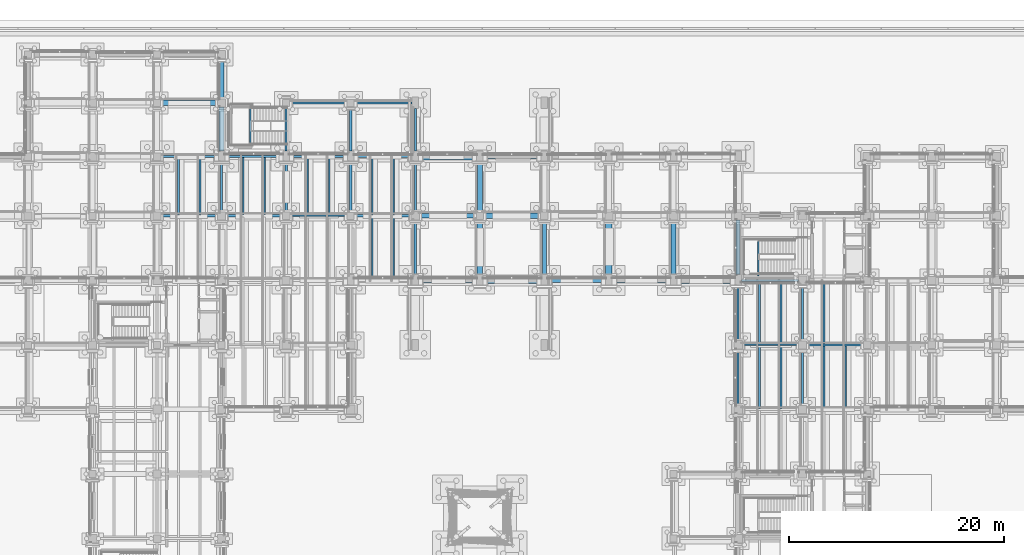
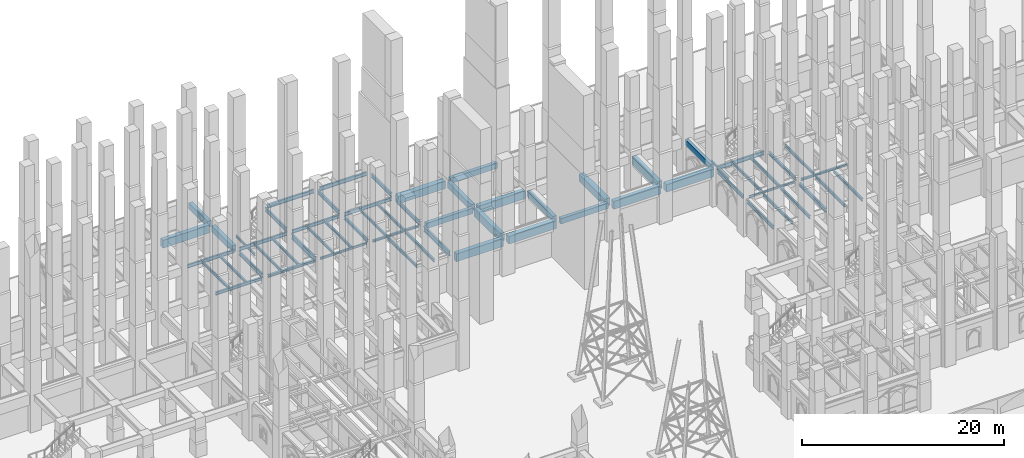
# One storey, part 46 of 135: 62 beams.
"""IFC4 building model written with IfcOpenShell, lengths in metres."""

from ifc_helpers import new_model, si_unit, direction, frame, origin, origin_2d, place, context, subcontext, project, spatial, rectangle, i_section, extrude, material, material_profile, profile_set, type_object, element, save


model = new_model("IFC4")

# Units and contexts
model_context = context("Model", 3, precision=1e-05, world=origin(), true_north=direction((0.0, 1.0)))
body_context = subcontext(model_context, "Body", "Model", "MODEL_VIEW")
ifc_project = project(units=[si_unit("LENGTHUNIT", "METRE"), si_unit("AREAUNIT", "SQUARE_METRE"), si_unit("VOLUMEUNIT", "CUBIC_METRE"), si_unit("PLANEANGLEUNIT", "RADIAN"), si_unit("MASSUNIT", "GRAM", prefix="KILO")], contexts=[model_context])

# Site, building, storey
site_placement = place(None, origin())
site = spatial("IfcSite", under=ifc_project, at=site_placement, CompositionType="ELEMENT")
building_placement = place(site_placement, origin())
building = spatial("IfcBuilding", under=site, at=building_placement, Name="Cumevento Cable Car Station", CompositionType="ELEMENT")
storey_placement = place(building_placement, origin())
storey = spatial("IfcBuildingStorey", under=building, at=storey_placement, Name="L01", CompositionType="ELEMENT", Elevation=0.0)

# Beams
ifc_material_1 = material(Name="Steel ASTM A572 Grade 50", Category="steel")
ifc_material_profile_1 = material_profile(ifc_material_1, i_section(OverallWidth=0.22802734375, OverallDepth=0.60791015625, WebThickness=0.01123046875, FlangeThickness=0.017333984375, at=origin_2d()), Name="W610x113.0")
ifc_profile_set_1 = profile_set([ifc_material_profile_1], Name="Steel ASTM A572 Grade 50")
beam_type_1 = type_object("IfcBeamType", Name="Structural Beam BM-02 W610x113.0", PredefinedType="BEAM", material=ifc_profile_set_1)
beam_1_placement = place(storey_placement, frame((76.0, 51.35009765625, 3.906005859375), z_axis=(0.0, 1.0, 0.0), x_axis=(-1.0, 0.0, 0.0)))
element("IfcBeam", 1, at=beam_1_placement, inside=storey, type_object=beam_type_1, Name="Beam BM-02 L01 #181", PredefinedType="BEAM", context=body_context, shape_type="SweptSolid", body=[
    extrude(i_section(OverallWidth=0.22802734375, OverallDepth=0.60791015625, WebThickness=0.01123046875, FlangeThickness=0.017333984375, at=origin_2d()), origin(), (0.0, 0.0, 1.0), 4.625),
])
beam_2_placement = place(storey_placement, frame((88.0, 45.52490234375, 3.906005859375), z_axis=(0.0, 1.0, 0.0), x_axis=(-1.0, 0.0, 0.0)))
element("IfcBeam", 2, at=beam_2_placement, inside=storey, type_object=beam_type_1, Name="Beam BM-02 L01 #184", PredefinedType="BEAM", context=body_context, shape_type="SweptSolid", body=[
    extrude(i_section(OverallWidth=0.22802734375, OverallDepth=0.60791015625, WebThickness=0.01123046875, FlangeThickness=0.017333984375, at=origin_2d()), origin(), (0.0, 0.0, 1.0), 5.0751953125),
])
ifc_material_2 = material(Name="Steel ASTM A572 Grade 50", Category="steel")
ifc_material_profile_2 = material_profile(ifc_material_2, i_section(OverallWidth=0.18994140625, OverallDepth=0.45703125, WebThickness=0.009033203125, FlangeThickness=0.014404296875, at=origin_2d()), Name="W460x74.0")
ifc_profile_set_2 = profile_set([ifc_material_profile_2], Name="Steel ASTM A572 Grade 50")
beam_type_2 = type_object("IfcBeamType", Name="Structural Beam BM-04 W460x74.0", PredefinedType="BEAM", material=ifc_profile_set_2)
beam_3_placement = place(storey_placement, frame((70.0, 51.375, 3.9814453125), z_axis=(0.0, 1.0, 0.0), x_axis=(-1.0, 0.0, 0.0)))
element("IfcBeam", 3, at=beam_3_placement, inside=storey, type_object=beam_type_2, Name="Beam BM-04 L01 #179", PredefinedType="BEAM", context=body_context, shape_type="SweptSolid", body=[
    extrude(i_section(OverallWidth=0.18994140625, OverallDepth=0.45703125, WebThickness=0.009033203125, FlangeThickness=0.014404296875, at=origin_2d()), origin(), (0.0, 0.0, 1.0), 4.60009765625),
])
beam_4_placement = place(storey_placement, frame((88.0, 51.39990234375, 3.9814453125), z_axis=(0.0, 1.0, 0.0), x_axis=(-1.0, 0.0, 0.0)))
element("IfcBeam", 4, at=beam_4_placement, inside=storey, type_object=beam_type_2, Name="Beam BM-04 L01 #185", PredefinedType="BEAM", context=body_context, shape_type="SweptSolid", body=[
    extrude(i_section(OverallWidth=0.18994140625, OverallDepth=0.45703125, WebThickness=0.009033203125, FlangeThickness=0.014404296875, at=origin_2d()), origin(), (0.0, 0.0, 1.0), 4.5751953125),
])
beam_5_placement = place(storey_placement, frame((124.0, 33.375, 3.881591796875), z_axis=(0.0, 1.0, 0.0), x_axis=(-1.0, 0.0, 0.0)))
element("IfcBeam", 5, at=beam_5_placement, inside=storey, type_object=beam_type_2, Name="Beam BM-04 L01 #260", PredefinedType="BEAM", context=body_context, shape_type="SweptSolid", body=[
    extrude(i_section(OverallWidth=0.18994140625, OverallDepth=0.45703125, WebThickness=0.009033203125, FlangeThickness=0.014404296875, at=origin_2d()), origin(), (0.0, 0.0, 1.0), 5.25),
])
beam_6_placement = place(storey_placement, frame((76.324951171875, 61.5, 4.021484375), z_axis=(1.0, 0.0, 0.0), x_axis=(0.0, 1.0, 0.0)))
element("IfcBeam", 6, at=beam_6_placement, inside=storey, type_object=beam_type_2, Name="Terrace Girder BM-04 #20", PredefinedType="BEAM", context=body_context, shape_type="SweptSolid", body=[
    extrude(i_section(OverallWidth=0.18994140625, OverallDepth=0.45703125, WebThickness=0.009033203125, FlangeThickness=0.014404296875, at=origin_2d()), origin(), (0.0, 0.0, 1.0), 5.35009765625),
])
beam_7_placement = place(storey_placement, frame((82.324951171875, 61.5, 4.021484375), z_axis=(1.0, 0.0, 0.0), x_axis=(0.0, 1.0, 0.0)))
element("IfcBeam", 7, at=beam_7_placement, inside=storey, type_object=beam_type_2, Name="Terrace Girder BM-04 #21", PredefinedType="BEAM", context=body_context, shape_type="SweptSolid", body=[
    extrude(i_section(OverallWidth=0.18994140625, OverallDepth=0.45703125, WebThickness=0.009033203125, FlangeThickness=0.014404296875, at=origin_2d()), origin(), (0.0, 0.0, 1.0), 5.375),
])
for number, where, z_axis, x_axis, name in (
    (8, (76.0, 57.02490234375, 4.021484375), (0.0, 1.0, 0.0), (-1.0, 0.0, 0.0), "Terrace Cross-Girder BM-04 #22"),
    (9, (82.0, 57.02490234375, 4.021484375), (0.0, 1.0, 0.0), (-1.0, 0.0, 0.0), "Terrace Cross-Girder BM-04 #23"),
):
    element("IfcBeam", number, at=place(storey_placement, frame(where, z_axis=z_axis, x_axis=x_axis)), inside=storey, type_object=beam_type_2, Name=name, PredefinedType="BEAM", context=body_context, shape_type="SweptSolid", body=[
        extrude(i_section(OverallWidth=0.18994140625, OverallDepth=0.45703125, WebThickness=0.009033203125, FlangeThickness=0.014404296875, at=origin_2d()), origin(), (0.0, 0.0, 1.0), 4.150146484375),
    ])
beam_8_placement = place(storey_placement, frame((88.0, 57.02490234375, 4.021484375), z_axis=(0.0, 1.0, 0.0), x_axis=(-1.0, 0.0, 0.0)))
element("IfcBeam", 10, at=beam_8_placement, inside=storey, type_object=beam_type_2, Name="Terrace Cross-Girder BM-04 #24", PredefinedType="BEAM", context=body_context, shape_type="SweptSolid", body=[
    extrude(i_section(OverallWidth=0.18994140625, OverallDepth=0.45703125, WebThickness=0.009033203125, FlangeThickness=0.014404296875, at=origin_2d()), origin(), (0.0, 0.0, 1.0), 3.9501953125),
])
ifc_material_3 = material(Name="Steel ASTM A572 Grade 50", Category="steel")
ifc_material_profile_3 = material_profile(ifc_material_3, i_section(OverallWidth=0.205078125, OverallDepth=0.35400390625, WebThickness=0.009521484375, FlangeThickness=0.016845703125, at=origin_2d()), Name="W360x79.0")
ifc_profile_set_3 = profile_set([ifc_material_profile_3], Name="Steel ASTM A572 Grade 50")
beam_type_3 = type_object("IfcBeamType", Name="Structural Beam BM-05 W360x79.0", PredefinedType="BEAM", material=ifc_profile_set_3)
beam_9_placement = place(storey_placement, frame((64.375, 51.0, 4.032958984375), z_axis=(1.0, 0.0, 0.0), x_axis=(0.0, 1.0, 0.0)))
element("IfcBeam", 11, at=beam_9_placement, inside=storey, type_object=beam_type_3, Name="Beam BM-05 L01 #170", PredefinedType="BEAM", context=body_context, shape_type="SweptSolid", body=[
    extrude(i_section(OverallWidth=0.205078125, OverallDepth=0.35400390625, WebThickness=0.009521484375, FlangeThickness=0.016845703125, at=origin_2d()), origin(), (0.0, 0.0, 1.0), 5.25),
])
beam_10_placement = place(storey_placement, frame((82.0, 51.324951171875, 4.032958984375), z_axis=(0.0, 1.0, 0.0), x_axis=(-1.0, 0.0, 0.0)))
element("IfcBeam", 12, at=beam_10_placement, inside=storey, type_object=beam_type_3, Name="Beam BM-05 L01 #183", PredefinedType="BEAM", context=body_context, shape_type="SweptSolid", body=[
    extrude(i_section(OverallWidth=0.205078125, OverallDepth=0.35400390625, WebThickness=0.009521484375, FlangeThickness=0.016845703125, at=origin_2d()), origin(), (0.0, 0.0, 1.0), 4.650146484375),
])
beam_11_placement = place(storey_placement, frame((124.0, 39.375, 4.032958984375), z_axis=(0.0, 1.0, 0.0), x_axis=(-1.0, 0.0, 0.0)))
element("IfcBeam", 13, at=beam_11_placement, inside=storey, type_object=beam_type_3, Name="Beam BM-05 L01 #261", PredefinedType="BEAM", context=body_context, shape_type="SweptSolid", body=[
    extrude(i_section(OverallWidth=0.205078125, OverallDepth=0.35400390625, WebThickness=0.009521484375, FlangeThickness=0.016845703125, at=origin_2d()), origin(), (0.0, 0.0, 1.0), 5.22509765625),
])
ifc_material_4 = material(Name="Steel ASTM A572 Grade 50", Category="steel")
ifc_material_profile_4 = material_profile(ifc_material_4, i_section(OverallWidth=0.25390625, OverallDepth=0.305908203125, WebThickness=0.0087890625, FlangeThickness=0.0146484375, at=origin_2d()), Name="W310x79.0")
ifc_profile_set_4 = profile_set([ifc_material_profile_4], Name="Steel ASTM A572 Grade 50")
beam_type_4 = type_object("IfcBeamType", Name="Structural Beam BM-06 W310x79.0", PredefinedType="BEAM", material=ifc_profile_set_4)
beam_12_placement = place(storey_placement, frame((70.375, 51.0, 4.056884765625), z_axis=(1.0, 0.0, 0.0), x_axis=(0.0, 1.0, 0.0)))
element("IfcBeam", 14, at=beam_12_placement, inside=storey, type_object=beam_type_4, Name="Beam BM-06 L01 #171", PredefinedType="BEAM", context=body_context, shape_type="SweptSolid", body=[
    extrude(i_section(OverallWidth=0.25390625, OverallDepth=0.305908203125, WebThickness=0.0087890625, FlangeThickness=0.0146484375, at=origin_2d()), origin(), (0.0, 0.0, 1.0), 5.27490234375),
])
ifc_material_5 = material(Name="Steel ASTM A572 Grade 50", Category="steel")
ifc_material_profile_5 = material_profile(ifc_material_5, i_section(OverallWidth=0.14794921875, OverallDepth=0.26611328125, WebThickness=0.007568359375, FlangeThickness=0.012939453125, at=origin_2d()), Name="W250x44.8")
ifc_profile_set_5 = profile_set([ifc_material_profile_5], Name="Steel ASTM A572 Grade 50")
beam_type_5 = type_object("IfcBeamType", Name="Structural Beam BM-07 W250x44.8", PredefinedType="BEAM", material=ifc_profile_set_5)
beam_13_placement = place(storey_placement, frame((76.35009765625, 51.0, 4.076904296875), z_axis=(1.0, 0.0, 0.0), x_axis=(0.0, 1.0, 0.0)))
element("IfcBeam", 15, at=beam_13_placement, inside=storey, type_object=beam_type_5, Name="Beam BM-07 L01 #172", PredefinedType="BEAM", context=body_context, shape_type="SweptSolid", body=[
    extrude(i_section(OverallWidth=0.14794921875, OverallDepth=0.26611328125, WebThickness=0.007568359375, FlangeThickness=0.012939453125, at=origin_2d()), origin(), (0.0, 0.0, 1.0), 5.324951171875),
])
beam_14_placement = place(storey_placement, frame((118.39990234375, 39.0, 4.076904296875), z_axis=(1.0, 0.0, 0.0), x_axis=(0.0, 1.0, 0.0)))
element("IfcBeam", 16, at=beam_14_placement, inside=storey, type_object=beam_type_5, Name="Beam BM-07 L01 #252", PredefinedType="BEAM", context=body_context, shape_type="SweptSolid", body=[
    extrude(i_section(OverallWidth=0.14794921875, OverallDepth=0.26611328125, WebThickness=0.007568359375, FlangeThickness=0.012939453125, at=origin_2d()), origin(), (0.0, 0.0, 1.0), 5.22509765625),
])
beam_15_placement = place(storey_placement, frame((119.860107421875, 45.39990234375, 1.89404296875), z_axis=(0.0, 1.0, 0.0), x_axis=(-1.0, 0.0, 0.0)))
element("IfcBeam", 17, at=beam_15_placement, inside=storey, type_object=beam_type_5, Name="Core Stair Half-Landing Trimmer ST-06-L01", PredefinedType="BEAM", context=body_context, shape_type="SweptSolid", body=[
    extrude(i_section(OverallWidth=0.14794921875, OverallDepth=0.26611328125, WebThickness=0.007568359375, FlangeThickness=0.012939453125, at=origin_2d()), origin(), (0.0, 0.0, 1.0), 3.52001953125),
])
beam_16_placement = place(storey_placement, frame((72.659912109375, 57.469970703125, 1.909912109375), z_axis=(0.0, 1.0, 0.0), x_axis=(-1.0, 0.0, 0.0)))
element("IfcBeam", 18, at=beam_16_placement, inside=storey, type_object=beam_type_5, Name="Stair Half-Landing Trimmer ST-17", PredefinedType="BEAM", context=body_context, shape_type="SweptSolid", body=[
    extrude(i_section(OverallWidth=0.14794921875, OverallDepth=0.26611328125, WebThickness=0.007568359375, FlangeThickness=0.012939453125, at=origin_2d()), origin(), (0.0, 0.0, 1.0), 3.760009765625),
])
ifc_material_6 = material(Name="Steel ASTM A572 Grade 50", Category="steel")
ifc_material_profile_6 = material_profile(ifc_material_6, i_section(OverallWidth=0.202880859375, OverallDepth=0.251953125, WebThickness=0.008056640625, FlangeThickness=0.013427734375, at=origin_2d()), Name="W250x58.0")
ifc_profile_set_6 = profile_set([ifc_material_profile_6], Name="Steel ASTM A572 Grade 50")
beam_type_6 = type_object("IfcBeamType", Name="Structural Beam BM-08 W250x58.0", PredefinedType="BEAM", material=ifc_profile_set_6)
beam_17_placement = place(storey_placement, frame((82.324951171875, 51.0, 4.083984375), z_axis=(1.0, 0.0, 0.0), x_axis=(0.0, 1.0, 0.0)))
element("IfcBeam", 19, at=beam_17_placement, inside=storey, type_object=beam_type_6, Name="Beam BM-08 L01 #173", PredefinedType="BEAM", context=body_context, shape_type="SweptSolid", body=[
    extrude(i_section(OverallWidth=0.202880859375, OverallDepth=0.251953125, WebThickness=0.008056640625, FlangeThickness=0.013427734375, at=origin_2d()), origin(), (0.0, 0.0, 1.0), 5.275146484375),
])
beam_18_placement = place(storey_placement, frame((124.375, 39.0, 4.083984375), z_axis=(1.0, 0.0, 0.0), x_axis=(0.0, 1.0, 0.0)))
element("IfcBeam", 20, at=beam_18_placement, inside=storey, type_object=beam_type_6, Name="Beam BM-08 L01 #253", PredefinedType="BEAM", context=body_context, shape_type="SweptSolid", body=[
    extrude(i_section(OverallWidth=0.202880859375, OverallDepth=0.251953125, WebThickness=0.008056640625, FlangeThickness=0.013427734375, at=origin_2d()), origin(), (0.0, 0.0, 1.0), 5.27490234375),
])
ifc_material_7 = material(Name="Steel ASTM A572 Grade 50", Category="steel")
ifc_material_profile_7 = material_profile(ifc_material_7, i_section(OverallWidth=0.179931640625, OverallDepth=0.4130859375, WebThickness=0.009765625, FlangeThickness=0.01611328125, at=origin_2d()), Name="W410x74.0")
ifc_profile_set_7 = profile_set([ifc_material_profile_7], Name="Steel ASTM A572 Grade 50")
beam_type_7 = type_object("IfcBeamType", Name="Structural Beam BM-09 W410x74.0", PredefinedType="BEAM", material=ifc_profile_set_7)
beam_19_placement = place(storey_placement, frame((64.35009765625, 56.5, 4.00341796875), z_axis=(1.0, 0.0, 0.0), x_axis=(0.0, 1.0, 0.0)))
element("IfcBeam", 21, at=beam_19_placement, inside=storey, type_object=beam_type_7, Name="Beam BM-09 L01 #174", PredefinedType="BEAM", context=body_context, shape_type="SweptSolid", body=[
    extrude(i_section(OverallWidth=0.179931640625, OverallDepth=0.4130859375, WebThickness=0.009765625, FlangeThickness=0.01611328125, at=origin_2d()), origin(), (0.0, 0.0, 1.0), 5.349853515625),
])
ifc_material_8 = material(Name="Steel ASTM A572 Grade 50", Category="steel")
ifc_material_profile_8 = material_profile(ifc_material_8, i_section(OverallWidth=0.19189453125, OverallDepth=0.462890625, WebThickness=0.010498046875, FlangeThickness=0.017578125, at=origin_2d()), Name="W460x89.0")
ifc_profile_set_8 = profile_set([ifc_material_profile_8], Name="Steel ASTM A572 Grade 50")
beam_type_8 = type_object("IfcBeamType", Name="Structural Beam BM-10 W460x89.0", PredefinedType="BEAM", material=ifc_profile_set_8)
beam_20_placement = place(storey_placement, frame((118.300048828125, 45.0, 3.978515625), z_axis=(1.0, 0.0, 0.0), x_axis=(0.0, 1.0, 0.0)))
element("IfcBeam", 22, at=beam_20_placement, inside=storey, type_object=beam_type_8, Name="Beam BM-10 L01 #255", PredefinedType="BEAM", context=body_context, shape_type="SweptSolid", body=[
    extrude(i_section(OverallWidth=0.19189453125, OverallDepth=0.462890625, WebThickness=0.010498046875, FlangeThickness=0.017578125, at=origin_2d()), origin(), (0.0, 0.0, 1.0), 5.300048828125),
])
ifc_material_9 = material(Name="Concrete C40/50", Category="concrete")
ifc_material_profile_9 = material_profile(ifc_material_9, rectangle(XDim=0.60009765625, YDim=0.89990234375, at=origin_2d()), Name="RC600x900")
ifc_profile_set_9 = profile_set([ifc_material_profile_9], Name="Concrete C40/50")
beam_type_9 = type_object("IfcBeamType", Name="Structural Beam TB-01 RC600x900", PredefinedType="BEAM", material=ifc_profile_set_9)
for number, where, z_axis, x_axis, name in (
    (23, (94.300048828125, 45.0, 3.800048828125), (1.0, 0.0, 0.0), (0.0, 1.0, 0.0), "Beam TB-01 L01 #187"),
    (24, (112.300048828125, 45.0, 3.760009765625), (1.0, 0.0, 0.0), (0.0, 1.0, 0.0), "Beam TB-01 L01 #190"),
    (25, (88.300048828125, 56.5, 3.760009765625), (1.0, 0.0, 0.0), (0.0, 1.0, 0.0), "Beam TB-01 L01 #196"),
):
    element("IfcBeam", number, at=place(storey_placement, frame(where, z_axis=z_axis, x_axis=x_axis)), inside=storey, type_object=beam_type_9, Name=name, PredefinedType="BEAM", context=body_context, shape_type="SweptSolid", body=[
        extrude(rectangle(XDim=0.60009765625, YDim=0.89990234375, at=origin_2d()), origin(), (0.0, 0.0, 1.0), 5.39990234375),
    ])
beam_21_placement = place(storey_placement, frame((106.0, 45.52490234375, 3.800048828125), z_axis=(0.0, 1.0, 0.0), x_axis=(-1.0, 0.0, 0.0)))
element("IfcBeam", 26, at=beam_21_placement, inside=storey, type_object=beam_type_9, Name="Beam TB-01 L01 #205", PredefinedType="BEAM", context=body_context, shape_type="SweptSolid", body=[
    extrude(rectangle(XDim=0.60009765625, YDim=0.89990234375, at=origin_2d()), origin(), (0.0, 0.0, 1.0), 5.10009765625),
])
ifc_material_10 = material(Name="Concrete C40/50", Category="concrete")
ifc_material_profile_10 = material_profile(ifc_material_10, rectangle(XDim=0.449951171875, YDim=0.75, at=origin_2d()), Name="RC450x750")
ifc_profile_set_10 = profile_set([ifc_material_profile_10], Name="Concrete C40/50")
beam_type_10 = type_object("IfcBeamType", Name="Structural Beam TB-02 RC450x750", PredefinedType="BEAM", material=ifc_profile_set_10)
beam_22_placement = place(storey_placement, frame((94.0, 51.324951171875, 3.875), z_axis=(0.0, 1.0, 0.0), x_axis=(-1.0, 0.0, 0.0)))
element("IfcBeam", 27, at=beam_22_placement, inside=storey, type_object=beam_type_10, Name="Beam TB-02 L01 #202", PredefinedType="BEAM", context=body_context, shape_type="SweptSolid", body=[
    extrude(rectangle(XDim=0.449951171875, YDim=0.75, at=origin_2d()), origin(), (0.0, 0.0, 1.0), 4.650146484375),
])
beam_23_placement = place(storey_placement, frame((70.0, 57.02490234375, 3.8349609375), z_axis=(0.0, 1.0, 0.0), x_axis=(-1.0, 0.0, 0.0)))
element("IfcBeam", 28, at=beam_23_placement, inside=storey, type_object=beam_type_10, Name="Beam TB-02 L01 #223", PredefinedType="BEAM", context=body_context, shape_type="SweptSolid", body=[
    extrude(rectangle(XDim=0.449951171875, YDim=0.75, at=origin_2d()), origin(), (0.0, 0.0, 1.0), 4.10009765625),
])
beam_24_placement = place(storey_placement, frame((70.0, 61.875, 3.875), z_axis=(0.0, 1.0, 0.0), x_axis=(-1.0, 0.0, 0.0)))
element("IfcBeam", 29, at=beam_24_placement, inside=storey, type_object=beam_type_10, Name="Beam TB-02 L01 #224", PredefinedType="BEAM", context=body_context, shape_type="SweptSolid", body=[
    extrude(rectangle(XDim=0.449951171875, YDim=0.75, at=origin_2d()), origin(), (0.0, 0.0, 1.0), 3.75),
])
ifc_material_11 = material(Name="Concrete C40/50", Category="concrete")
ifc_material_profile_11 = material_profile(ifc_material_11, rectangle(XDim=0.39990234375, YDim=0.64990234375, at=origin_2d()), Name="RC400x650")
ifc_profile_set_11 = profile_set([ifc_material_profile_11], Name="Concrete C40/50")
beam_type_11 = type_object("IfcBeamType", Name="Structural Beam TB-03 RC400x650", PredefinedType="BEAM", material=ifc_profile_set_11)
beam_25_placement = place(storey_placement, frame((100.300048828125, 45.0, 3.925048828125), z_axis=(1.0, 0.0, 0.0), x_axis=(0.0, 1.0, 0.0)))
element("IfcBeam", 30, at=beam_25_placement, inside=storey, type_object=beam_type_11, Name="Beam TB-03 L01 #188", PredefinedType="BEAM", context=body_context, shape_type="SweptSolid", body=[
    extrude(rectangle(XDim=0.39990234375, YDim=0.64990234375, at=origin_2d()), origin(), (0.0, 0.0, 1.0), 5.39990234375),
])
beam_26_placement = place(storey_placement, frame((88.39990234375, 51.0, 3.885009765625), z_axis=(1.0, 0.0, 0.0), x_axis=(0.0, 1.0, 0.0)))
element("IfcBeam", 31, at=beam_26_placement, inside=storey, type_object=beam_type_11, Name="Beam TB-03 L01 #191", PredefinedType="BEAM", context=body_context, shape_type="SweptSolid", body=[
    extrude(rectangle(XDim=0.39990234375, YDim=0.64990234375, at=origin_2d()), origin(), (0.0, 0.0, 1.0), 5.275146484375),
])
beam_27_placement = place(storey_placement, frame((94.300048828125, 56.5, 3.925048828125), z_axis=(1.0, 0.0, 0.0), x_axis=(0.0, 1.0, 0.0)))
element("IfcBeam", 32, at=beam_27_placement, inside=storey, type_object=beam_type_11, Name="Beam TB-03 L01 #197", PredefinedType="BEAM", context=body_context, shape_type="SweptSolid", body=[
    extrude(rectangle(XDim=0.39990234375, YDim=0.64990234375, at=origin_2d()), origin(), (0.0, 0.0, 1.0), 5.39990234375),
])
beam_28_placement = place(storey_placement, frame((100.0, 45.52490234375, 3.925048828125), z_axis=(0.0, 1.0, 0.0), x_axis=(-1.0, 0.0, 0.0)))
element("IfcBeam", 33, at=beam_28_placement, inside=storey, type_object=beam_type_11, Name="Beam TB-03 L01 #203", PredefinedType="BEAM", context=body_context, shape_type="SweptSolid", body=[
    extrude(rectangle(XDim=0.39990234375, YDim=0.64990234375, at=origin_2d()), origin(), (0.0, 0.0, 1.0), 5.125),
])
beam_29_placement = place(storey_placement, frame((118.0, 45.52490234375, 3.885009765625), z_axis=(0.0, 1.0, 0.0), x_axis=(-1.0, 0.0, 0.0)))
element("IfcBeam", 34, at=beam_29_placement, inside=storey, type_object=beam_type_11, Name="Beam TB-03 L01 #209", PredefinedType="BEAM", context=body_context, shape_type="SweptSolid", body=[
    extrude(rectangle(XDim=0.39990234375, YDim=0.64990234375, at=origin_2d()), origin(), (0.0, 0.0, 1.0), 5.10009765625),
])
ifc_material_12 = material(Name="Concrete C40/50", Category="concrete")
ifc_material_profile_12 = material_profile(ifc_material_12, rectangle(XDim=0.5, YDim=0.949951171875, at=origin_2d()), Name="RC500x950")
ifc_profile_set_12 = profile_set([ifc_material_profile_12], Name="Concrete C40/50")
beam_type_12 = type_object("IfcBeamType", Name="Structural Beam TB-04 RC500x950", PredefinedType="BEAM", material=ifc_profile_set_12)
for number, where, z_axis, x_axis, name in (
    (35, (88.300048828125, 45.0, 3.735107421875), (1.0, 0.0, 0.0), (0.0, 1.0, 0.0), "Beam TB-04 L01 #186"),
    (36, (106.300048828125, 45.0, 3.77490234375), (1.0, 0.0, 0.0), (0.0, 1.0, 0.0), "Beam TB-04 L01 #189"),
):
    element("IfcBeam", number, at=place(storey_placement, frame(where, z_axis=z_axis, x_axis=x_axis)), inside=storey, type_object=beam_type_12, Name=name, PredefinedType="BEAM", context=body_context, shape_type="SweptSolid", body=[
        extrude(rectangle(XDim=0.5, YDim=0.949951171875, at=origin_2d()), origin(), (0.0, 0.0, 1.0), 5.39990234375),
    ])
beam_30_placement = place(storey_placement, frame((94.324951171875, 51.0, 3.77490234375), z_axis=(1.0, 0.0, 0.0), x_axis=(0.0, 1.0, 0.0)))
element("IfcBeam", 37, at=beam_30_placement, inside=storey, type_object=beam_type_12, Name="Beam TB-04 L01 #192", PredefinedType="BEAM", context=body_context, shape_type="SweptSolid", body=[
    extrude(rectangle(XDim=0.5, YDim=0.949951171875, at=origin_2d()), origin(), (0.0, 0.0, 1.0), 5.324951171875),
])
beam_31_placement = place(storey_placement, frame((94.0, 45.52490234375, 3.77490234375), z_axis=(0.0, 1.0, 0.0), x_axis=(-1.0, 0.0, 0.0)))
element("IfcBeam", 38, at=beam_31_placement, inside=storey, type_object=beam_type_12, Name="Beam TB-04 L01 #201", PredefinedType="BEAM", context=body_context, shape_type="SweptSolid", body=[
    extrude(rectangle(XDim=0.5, YDim=0.949951171875, at=origin_2d()), origin(), (0.0, 0.0, 1.0), 5.150146484375),
])
beam_32_placement = place(storey_placement, frame((112.0, 45.52490234375, 3.77490234375), z_axis=(0.0, 1.0, 0.0), x_axis=(-1.0, 0.0, 0.0)))
element("IfcBeam", 39, at=beam_32_placement, inside=storey, type_object=beam_type_12, Name="Beam TB-04 L01 #207", PredefinedType="BEAM", context=body_context, shape_type="SweptSolid", body=[
    extrude(rectangle(XDim=0.5, YDim=0.949951171875, at=origin_2d()), origin(), (0.0, 0.0, 1.0), 5.0751953125),
])
beam_33_placement = place(storey_placement, frame((64.324951171875, 61.5, 3.77490234375), z_axis=(1.0, 0.0, 0.0), x_axis=(0.0, 1.0, 0.0)))
element("IfcBeam", 40, at=beam_33_placement, inside=storey, type_object=beam_type_12, Name="Beam TB-04 L01 #213", PredefinedType="BEAM", context=body_context, shape_type="SweptSolid", body=[
    extrude(rectangle(XDim=0.5, YDim=0.949951171875, at=origin_2d()), origin(), (0.0, 0.0, 1.0), 5.300048828125),
])
ifc_material_13 = material(Name="Steel ASTM A572 Grade 50", Category="steel")
ifc_material_profile_13 = material_profile(ifc_material_13, i_section(OverallWidth=0.1708984375, OverallDepth=0.35498046875, WebThickness=0.007080078125, FlangeThickness=0.01171875, at=origin_2d()), Name="W360x51.0")
ifc_profile_set_13 = profile_set([ifc_material_profile_13], Name="Steel ASTM A572 Grade 50")
beam_type_13 = type_object("IfcBeamType", Name="Structural Joist JS-01 W360x51.0", PredefinedType="JOIST", material=ifc_profile_set_13)
for number, where, z_axis, x_axis, name in (
    (41, (84.0, 45.076904296875, 4.032470703125), (0.0, 1.0, 0.0), (-1.0, 0.0, 0.0), "Composite Floor Joist JS-01 L01 #397"),
    (42, (86.0, 45.076904296875, 4.032470703125), (0.0, 1.0, 0.0), (-1.0, 0.0, 0.0), "Composite Floor Joist JS-01 L01 #399"),
):
    element("IfcBeam", number, at=place(storey_placement, frame(where, z_axis=z_axis, x_axis=x_axis)), inside=storey, type_object=beam_type_13, Name=name, PredefinedType="JOIST", context=body_context, shape_type="SweptSolid", body=[
        extrude(i_section(OverallWidth=0.1708984375, OverallDepth=0.35498046875, WebThickness=0.007080078125, FlangeThickness=0.01171875, at=origin_2d()), origin(), (0.0, 0.0, 1.0), 5.83349609375),
    ])
beam_34_placement = place(storey_placement, frame((120.0, 33.077880859375, 3.9326171875), z_axis=(0.0, 1.0, 0.0), x_axis=(-1.0, 0.0, 0.0)))
element("IfcBeam", 43, at=beam_34_placement, inside=storey, type_object=beam_type_13, Name="Composite Floor Joist JS-01 L01 #418", PredefinedType="JOIST", context=body_context, shape_type="SweptSolid", body=[
    extrude(i_section(OverallWidth=0.1708984375, OverallDepth=0.35498046875, WebThickness=0.007080078125, FlangeThickness=0.01171875, at=origin_2d()), origin(), (0.0, 0.0, 1.0), 5.860107421875),
])
beam_35_placement = place(storey_placement, frame((120.0, 39.06201171875, 4.032470703125), z_axis=(0.0, 1.0, 0.0), x_axis=(-1.0, 0.0, 0.0)))
element("IfcBeam", 44, at=beam_35_placement, inside=storey, type_object=beam_type_13, Name="Composite Floor Joist JS-01 L01 #419", PredefinedType="JOIST", context=body_context, shape_type="SweptSolid", body=[
    extrude(i_section(OverallWidth=0.1708984375, OverallDepth=0.35498046875, WebThickness=0.007080078125, FlangeThickness=0.01171875, at=origin_2d()), origin(), (0.0, 0.0, 1.0), 5.85400390625),
])
beam_36_placement = place(storey_placement, frame((122.0, 33.077880859375, 3.9326171875), z_axis=(0.0, 1.0, 0.0), x_axis=(-1.0, 0.0, 0.0)))
element("IfcBeam", 45, at=beam_36_placement, inside=storey, type_object=beam_type_13, Name="Composite Floor Joist JS-01 L01 #420", PredefinedType="JOIST", context=body_context, shape_type="SweptSolid", body=[
    extrude(i_section(OverallWidth=0.1708984375, OverallDepth=0.35498046875, WebThickness=0.007080078125, FlangeThickness=0.01171875, at=origin_2d()), origin(), (0.0, 0.0, 1.0), 5.860107421875),
])
beam_37_placement = place(storey_placement, frame((122.0, 39.06201171875, 4.032470703125), z_axis=(0.0, 1.0, 0.0), x_axis=(-1.0, 0.0, 0.0)))
element("IfcBeam", 46, at=beam_37_placement, inside=storey, type_object=beam_type_13, Name="Composite Floor Joist JS-01 L01 #421", PredefinedType="JOIST", context=body_context, shape_type="SweptSolid", body=[
    extrude(i_section(OverallWidth=0.1708984375, OverallDepth=0.35498046875, WebThickness=0.007080078125, FlangeThickness=0.01171875, at=origin_2d()), origin(), (0.0, 0.0, 1.0), 5.85400390625),
])
beam_38_placement = place(storey_placement, frame((126.0, 33.083984375, 3.9326171875), z_axis=(0.0, 1.0, 0.0), x_axis=(-1.0, 0.0, 0.0)))
element("IfcBeam", 47, at=beam_38_placement, inside=storey, type_object=beam_type_13, Name="Composite Floor Joist JS-01 L01 #422", PredefinedType="JOIST", context=body_context, shape_type="SweptSolid", body=[
    extrude(i_section(OverallWidth=0.1708984375, OverallDepth=0.35498046875, WebThickness=0.007080078125, FlangeThickness=0.01171875, at=origin_2d()), origin(), (0.0, 0.0, 1.0), 5.826416015625),
])
beam_39_placement = place(storey_placement, frame((126.0, 39.089599609375, 4.032470703125), z_axis=(0.0, 1.0, 0.0), x_axis=(-1.0, 0.0, 0.0)))
element("IfcBeam", 48, at=beam_39_placement, inside=storey, type_object=beam_type_13, Name="Composite Floor Joist JS-01 L01 #423", PredefinedType="JOIST", context=body_context, shape_type="SweptSolid", body=[
    extrude(i_section(OverallWidth=0.1708984375, OverallDepth=0.35498046875, WebThickness=0.007080078125, FlangeThickness=0.01171875, at=origin_2d()), origin(), (0.0, 0.0, 1.0), 5.81689453125),
])
beam_40_placement = place(storey_placement, frame((128.0, 33.083984375, 3.9326171875), z_axis=(0.0, 1.0, 0.0), x_axis=(-1.0, 0.0, 0.0)))
element("IfcBeam", 49, at=beam_40_placement, inside=storey, type_object=beam_type_13, Name="Composite Floor Joist JS-01 L01 #424", PredefinedType="JOIST", context=body_context, shape_type="SweptSolid", body=[
    extrude(i_section(OverallWidth=0.1708984375, OverallDepth=0.35498046875, WebThickness=0.007080078125, FlangeThickness=0.01171875, at=origin_2d()), origin(), (0.0, 0.0, 1.0), 5.826416015625),
])
ifc_material_14 = material(Name="Steel ASTM A572 Grade 50", Category="steel")
ifc_material_profile_14 = material_profile(ifc_material_14, i_section(OverallWidth=0.1669921875, OverallDepth=0.31689453125, WebThickness=0.007568359375, FlangeThickness=0.01318359375, at=origin_2d()), Name="W310x52.0")
ifc_profile_set_14 = profile_set([ifc_material_profile_14], Name="Steel ASTM A572 Grade 50")
beam_type_14 = type_object("IfcBeamType", Name="Structural Joist JS-02 W310x52.0", PredefinedType="JOIST", material=ifc_profile_set_14)
for number, where, z_axis, x_axis, name in (
    (50, (66.0, 51.090576171875, 4.051513671875), (0.0, 1.0, 0.0), (-1.0, 0.0, 0.0), "Composite Floor Joist JS-02 L01 #386"),
    (51, (68.0, 51.090576171875, 4.051513671875), (0.0, 1.0, 0.0), (-1.0, 0.0, 0.0), "Composite Floor Joist JS-02 L01 #388"),
):
    element("IfcBeam", number, at=place(storey_placement, frame(where, z_axis=z_axis, x_axis=x_axis)), inside=storey, type_object=beam_type_14, Name=name, PredefinedType="JOIST", context=body_context, shape_type="SweptSolid", body=[
        extrude(i_section(OverallWidth=0.1669921875, OverallDepth=0.31689453125, WebThickness=0.007568359375, FlangeThickness=0.01318359375, at=origin_2d()), origin(), (0.0, 0.0, 1.0), 5.33154296875),
    ])
for number, where, z_axis, x_axis, name in (
    (52, (72.0, 51.114990234375, 4.051513671875), (0.0, 1.0, 0.0), (-1.0, 0.0, 0.0), "Composite Floor Joist JS-02 L01 #390"),
    (53, (74.0, 51.114990234375, 4.051513671875), (0.0, 1.0, 0.0), (-1.0, 0.0, 0.0), "Composite Floor Joist JS-02 L01 #392"),
):
    element("IfcBeam", number, at=place(storey_placement, frame(where, z_axis=z_axis, x_axis=x_axis)), inside=storey, type_object=beam_type_14, Name=name, PredefinedType="JOIST", context=body_context, shape_type="SweptSolid", body=[
        extrude(i_section(OverallWidth=0.1669921875, OverallDepth=0.31689453125, WebThickness=0.007568359375, FlangeThickness=0.01318359375, at=origin_2d()), origin(), (0.0, 0.0, 1.0), 5.30810546875),
    ])
for number, where, z_axis, x_axis, name in (
    (54, (78.0, 51.06201171875, 4.051513671875), (0.0, 1.0, 0.0), (-1.0, 0.0, 0.0), "Composite Floor Joist JS-02 L01 #394"),
    (55, (80.0, 51.06201171875, 4.051513671875), (0.0, 1.0, 0.0), (-1.0, 0.0, 0.0), "Composite Floor Joist JS-02 L01 #396"),
):
    element("IfcBeam", number, at=place(storey_placement, frame(where, z_axis=z_axis, x_axis=x_axis)), inside=storey, type_object=beam_type_14, Name=name, PredefinedType="JOIST", context=body_context, shape_type="SweptSolid", body=[
        extrude(i_section(OverallWidth=0.1669921875, OverallDepth=0.31689453125, WebThickness=0.007568359375, FlangeThickness=0.01318359375, at=origin_2d()), origin(), (0.0, 0.0, 1.0), 5.361083984375),
    ])
for number, where, z_axis, x_axis, name in (
    (56, (84.0, 51.089599609375, 4.051513671875), (0.0, 1.0, 0.0), (-1.0, 0.0, 0.0), "Composite Floor Joist JS-02 L01 #398"),
    (57, (86.0, 51.089599609375, 4.051513671875), (0.0, 1.0, 0.0), (-1.0, 0.0, 0.0), "Composite Floor Joist JS-02 L01 #400"),
):
    element("IfcBeam", number, at=place(storey_placement, frame(where, z_axis=z_axis, x_axis=x_axis)), inside=storey, type_object=beam_type_14, Name=name, PredefinedType="JOIST", context=body_context, shape_type="SweptSolid", body=[
        extrude(i_section(OverallWidth=0.1669921875, OverallDepth=0.31689453125, WebThickness=0.007568359375, FlangeThickness=0.01318359375, at=origin_2d()), origin(), (0.0, 0.0, 1.0), 5.33349609375),
    ])
ifc_material_15 = material(Name="Steel ASTM A572 Grade 50", Category="steel")
ifc_material_profile_15 = material_profile(ifc_material_15, i_section(OverallWidth=0.177978515625, OverallDepth=0.406982421875, WebThickness=0.0078125, FlangeThickness=0.0126953125, at=origin_2d()), Name="W410x60.0")
ifc_profile_set_15 = profile_set([ifc_material_profile_15], Name="Steel ASTM A572 Grade 50")
beam_type_15 = type_object("IfcBeamType", Name="Structural Spandrel SP-01 W410x60.0", PredefinedType="SPANDREL", material=ifc_profile_set_15)
for number, where, z_axis, x_axis, name in (
    (58, (70.300048828125, 56.5, 4.006591796875), (1.0, 0.0, 0.0), (0.0, 1.0, 0.0), "Beam SP-01 L01 #175"),
    (59, (76.300048828125, 56.5, 4.006591796875), (1.0, 0.0, 0.0), (0.0, 1.0, 0.0), "Beam SP-01 L01 #176"),
    (60, (82.300048828125, 56.5, 4.006591796875), (1.0, 0.0, 0.0), (0.0, 1.0, 0.0), "Beam SP-01 L01 #177"),
):
    element("IfcBeam", number, at=place(storey_placement, frame(where, z_axis=z_axis, x_axis=x_axis)), inside=storey, type_object=beam_type_15, Name=name, PredefinedType="SPANDREL", context=body_context, shape_type="SweptSolid", body=[
        extrude(i_section(OverallWidth=0.177978515625, OverallDepth=0.406982421875, WebThickness=0.0078125, FlangeThickness=0.0126953125, at=origin_2d()), origin(), (0.0, 0.0, 1.0), 5.39990234375),
    ])
beam_41_placement = place(storey_placement, frame((118.0, 33.39990234375, 3.906494140625), z_axis=(0.0, 1.0, 0.0), x_axis=(-1.0, 0.0, 0.0)))
element("IfcBeam", 61, at=beam_41_placement, inside=storey, type_object=beam_type_15, Name="Beam SP-01 L01 #258", PredefinedType="SPANDREL", context=body_context, shape_type="SweptSolid", body=[
    extrude(i_section(OverallWidth=0.177978515625, OverallDepth=0.406982421875, WebThickness=0.0078125, FlangeThickness=0.0126953125, at=origin_2d()), origin(), (0.0, 0.0, 1.0), 5.2001953125),
])
beam_42_placement = place(storey_placement, frame((118.0, 39.39990234375, 4.006591796875), z_axis=(0.0, 1.0, 0.0), x_axis=(-1.0, 0.0, 0.0)))
element("IfcBeam", 62, at=beam_42_placement, inside=storey, type_object=beam_type_15, Name="Beam SP-01 L01 #259", PredefinedType="SPANDREL", context=body_context, shape_type="SweptSolid", body=[
    extrude(i_section(OverallWidth=0.177978515625, OverallDepth=0.406982421875, WebThickness=0.0078125, FlangeThickness=0.0126953125, at=origin_2d()), origin(), (0.0, 0.0, 1.0), 5.0751953125),
])

save(model, "model.ifc")
